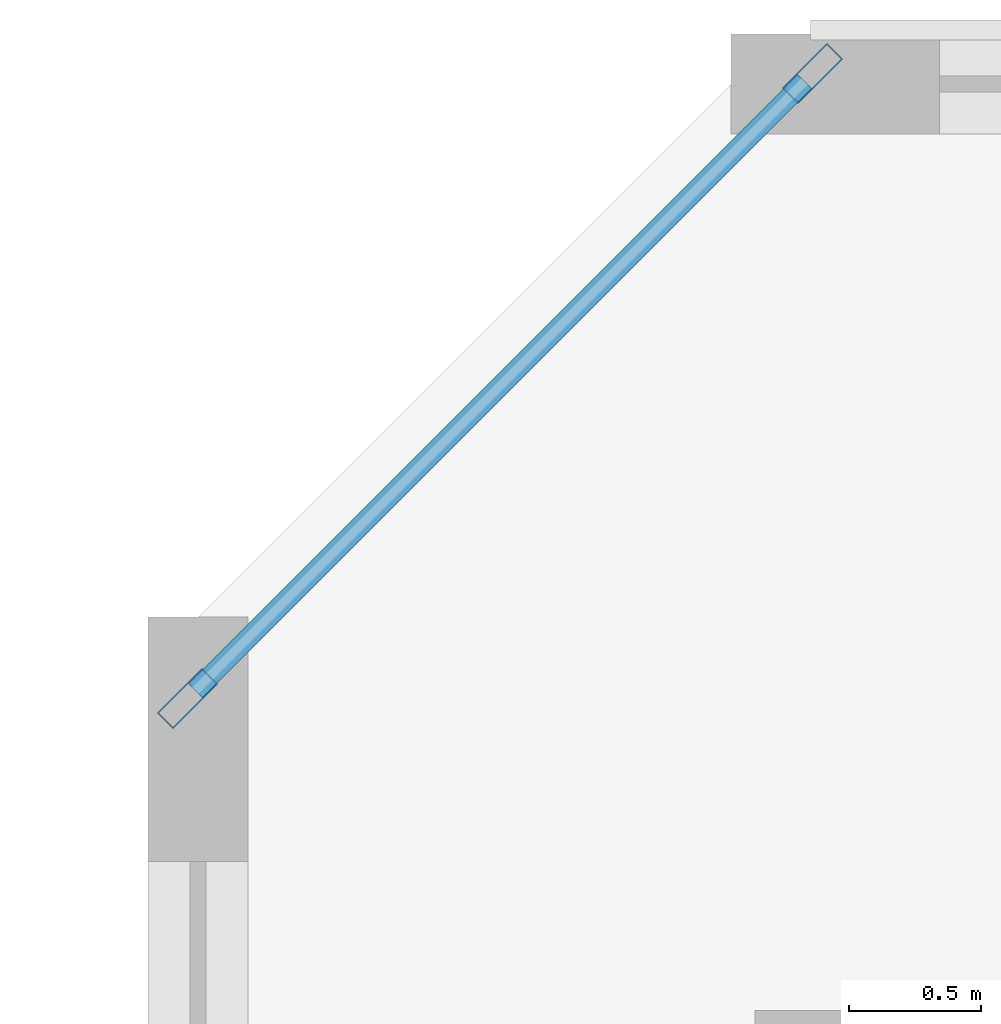
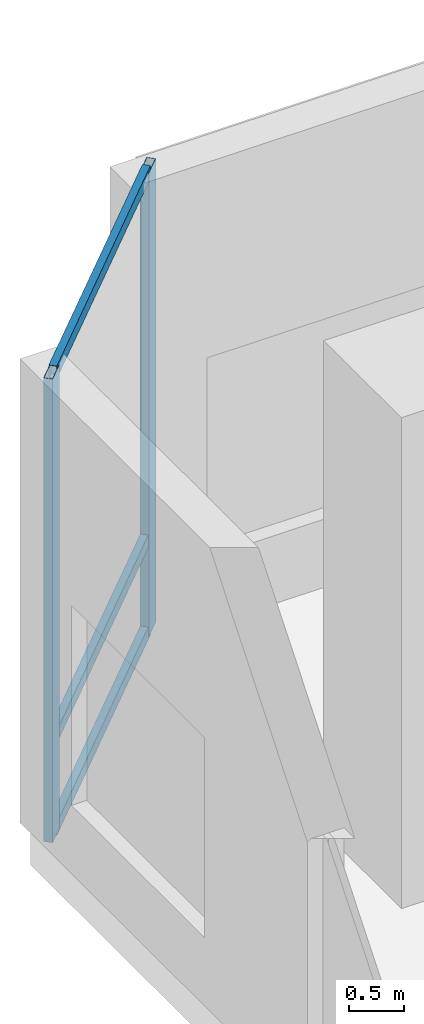
# One storey, part 4 of 21: 5 members, 1 element without a shape of its own.
"""IFC4 building model written with IfcOpenShell, lengths in metres."""

import ifcopenshell
import ifcopenshell.guid

model = None  # the IFC model being written
_history = None  # IfcOwnerHistory: only IFC2X3 demands one
_inside = {}  # id of a spatial element -> (the spatial element, [elements in it])
_under = {}  # id of a project, library or spatial element -> (it, [spatial elements below it])
_declared = {}  # id of a project -> (the project, [libraries it declares])
_typed = {}  # id of a type object -> (the type object, [elements of that type])
_made_of = {}  # id of a material, layer set ... -> (it, [elements and type objects made of it])


def new_model(schema):
    """Start an empty IFC model of exactly this schema.

    Asked for "IFC4X3", IfcOpenShell would pick the latest addendum, in which some entities
    have other attributes; the version numbers below select the first issue.
    IFC2X3 requires an IfcOwnerHistory on every rooted entity: one is made here for all.
    """
    global model, _history
    if schema == "IFC4X3":
        model = ifcopenshell.file(schema_version=(4, 3, 0, 0))
    else:
        model = ifcopenshell.file(schema=schema)
    _inside.clear()
    _under.clear()
    _declared.clear()
    _typed.clear()
    _made_of.clear()
    _history = None
    if model.schema == "IFC2X3":
        org = make("IfcOrganization", Name="unknown")
        user = make(
            "IfcPersonAndOrganization",
            ThePerson=make("IfcPerson", FamilyName="unknown"),
            TheOrganization=org,
        )
        app = make(
            "IfcApplication",
            ApplicationDeveloper=org,
            Version="unknown",
            ApplicationFullName="unknown",
            ApplicationIdentifier="unknown",
        )
        _history = make(
            "IfcOwnerHistory",
            OwningUser=user,
            OwningApplication=app,
            ChangeAction="ADDED",
            CreationDate=0,
        )
    return model


def make(cls, **values):
    """One entity of the class cls with the attributes given. An attribute that is None is left unset."""
    return model.create_entity(
        cls, **{name: value for name, value in values.items() if value is not None}
    )


def rooted(cls, **values):
    """An entity with a GlobalId (a new one), such as an element, a storey or a relation."""
    return make(cls, GlobalId=ifcopenshell.guid.new(), OwnerHistory=_history, **values)


def si_unit(unit_type, name, prefix=None):
    """IfcSIUnit, for example si_unit("LENGTHUNIT", "METRE", prefix="MILLI")."""
    return make("IfcSIUnit", UnitType=unit_type, Prefix=prefix, Name=name)


def assignment(units):
    """IfcUnitAssignment: the units of a project."""
    return None if units is None else make("IfcUnitAssignment", Units=units)


def point(xyz):
    """IfcCartesianPoint."""
    return None if xyz is None else make("IfcCartesianPoint", Coordinates=xyz)


def direction(xyz):
    """IfcDirection."""
    return None if xyz is None else make("IfcDirection", DirectionRatios=xyz)


def frame(location, z_axis=None, x_axis=None):
    """IfcAxis2Placement3D, a coordinate frame: its origin and axes. An axis left out is left unset."""
    return make(
        "IfcAxis2Placement3D",
        Location=point(location),
        Axis=direction(z_axis),
        RefDirection=direction(x_axis),
    )


def frame_2d(location, x_axis=None):
    """IfcAxis2Placement2D, a coordinate frame in the plane: its origin and x axis."""
    return make(
        "IfcAxis2Placement2D", Location=point(location), RefDirection=direction(x_axis)
    )


def origin():
    """The frame at (0, 0, 0) with its axes left unset."""
    return frame((0.0, 0.0, 0.0))


def origin_2d():
    """The frame at (0, 0) in the plane with its x axis left unset."""
    return frame_2d((0.0, 0.0))


def place(relative_to, where):
    """IfcLocalPlacement: puts the frame where relative to a parent placement (None: the world)."""
    return make(
        "IfcLocalPlacement", PlacementRelTo=relative_to, RelativePlacement=where
    )


def context(
    kind, dimensions, precision=None, world=None, true_north=None, identifier=None
):
    """IfcGeometricRepresentationContext, for example the 3D "Model" context."""
    return make(
        "IfcGeometricRepresentationContext",
        ContextIdentifier=identifier,
        ContextType=kind,
        CoordinateSpaceDimension=dimensions,
        Precision=precision,
        WorldCoordinateSystem=world,
        TrueNorth=true_north,
    )


def subcontext(parent, identifier, kind, view, scale=None):
    """IfcGeometricRepresentationSubContext, for example "Body" below "Model"."""
    return make(
        "IfcGeometricRepresentationSubContext",
        ContextIdentifier=identifier,
        ContextType=kind,
        ParentContext=parent,
        TargetScale=scale,
        TargetView=view,
    )


def project(units=None, contexts=None):
    """IfcProject with its units and contexts."""
    return rooted(
        "IfcProject",
        Name="project",
        RepresentationContexts=contexts,
        UnitsInContext=assignment(units),
    )


def spatial(cls, under=None, at=None, **own):
    """A site, building, storey or space (cls), placed at a placement, below another one or the project."""
    s = rooted(cls, ObjectPlacement=at, **own)
    if under is not None:
        _under.setdefault(under.id(), (under, []))[1].append(s)
    return s


def profile(cls, at=None, kind="AREA", **sizes):
    """A parametric profile (cls). Its sizes go by their IFC names, for example OverallWidth=200.0."""
    return make(cls, ProfileType=kind, Position=at, **sizes)


def hollow_rectangle(**sizes):
    """IfcRectangleHollowProfileDef."""
    return profile("IfcRectangleHollowProfileDef", **sizes)


def extrude(swept, where, along, depth):
    """IfcExtrudedAreaSolid: the profile swept, set in the frame where, extruded along a direction by depth."""
    return make(
        "IfcExtrudedAreaSolid",
        SweptArea=swept,
        Position=where,
        ExtrudedDirection=direction(along),
        Depth=depth,
    )


def shape(context_of_items, identifier, shape_type, items):
    """IfcShapeRepresentation: the items that make up one representation, for example the "Body"."""
    return make(
        "IfcShapeRepresentation",
        ContextOfItems=context_of_items,
        RepresentationIdentifier=identifier,
        RepresentationType=shape_type,
        Items=items,
    )


def material(Name=None, Category=None):
    """IfcMaterial."""
    return make("IfcMaterial", Name=Name, Category=Category)


def layer(
    of_material, thickness, ventilated=None, Name=None, Category=None, Priority=None
):
    """IfcMaterialLayer: one layer of a wall or slab, of a material (None: an air gap)."""
    return make(
        "IfcMaterialLayer",
        Material=of_material,
        LayerThickness=thickness,
        IsVentilated=ventilated,
        Name=Name,
        Category=Category,
        Priority=Priority,
    )


def layer_set(layers, Name=None):
    """IfcMaterialLayerSet."""
    return make("IfcMaterialLayerSet", MaterialLayers=layers, LayerSetName=Name)


def material_profile(
    of_material, cross_section, Name=None, Category=None, Priority=None
):
    """IfcMaterialProfile: a cross section and its material."""
    return make(
        "IfcMaterialProfile",
        Name=Name,
        Material=of_material,
        Profile=cross_section,
        Priority=Priority,
        Category=Category,
    )


def profile_set(profiles, Name=None, composite=None):
    """IfcMaterialProfileSet."""
    return make(
        "IfcMaterialProfileSet",
        Name=Name,
        MaterialProfiles=profiles,
        CompositeProfile=composite,
    )


def made_of(thing, what):
    """Note that an element or type object is made of a material, layer set ...; save() writes the relation."""
    if what is not None:
        _made_of.setdefault(what.id(), (what, []))[1].append(thing)
    return thing


def type_object(cls, material=None, **own):
    """A type object (cls), such as IfcWallType, which elements share."""
    return made_of(rooted(cls, **own), material)


def element(
    cls,
    number,
    at=None,
    inside=None,
    cuts=None,
    type_object=None,
    material=None,
    context=None,
    identifier="Body",
    shape_type=None,
    held_by="IfcProductDefinitionShape",
    body=None,
    shapes=None,
    **own,
):
    """One element of the class cls, such as IfcWall. Its Tag is "e" and its number.

    at: its placement. inside: the storey or other place that contains it. cuts: it is an
    opening in that element (IfcRelVoidsElement). A single representation is given by context,
    identifier, shape_type and body (its items); several are given by shapes. held_by: the class
    of the entity that holds the representations. save() writes the other relations.
    """
    e = rooted(cls, Tag="e%d" % number, ObjectPlacement=at, **own)
    if body is not None:
        shapes = [shape(context, identifier, shape_type, body)]
    if shapes is not None:
        e.Representation = make(held_by, Representations=shapes)
    if inside is not None:
        _inside.setdefault(inside.id(), (inside, []))[1].append(e)
    if cuts is not None:
        rooted(
            "IfcRelVoidsElement", RelatingBuildingElement=cuts, RelatedOpeningElement=e
        )
    if type_object is not None:
        _typed.setdefault(type_object.id(), (type_object, []))[1].append(e)
    return made_of(e, material)


def aggregate(whole, parts):
    """IfcRelAggregates: a whole, such as a stair, and the parts it consists of."""
    return rooted("IfcRelAggregates", RelatingObject=whole, RelatedObjects=parts)


def save(model, path):
    """Write the relations noted so far, then the file.

    IfcRelAggregates (storeys below a building ...), IfcRelContainedInSpatialStructure (elements
    in a storey), IfcRelDefinesByType, IfcRelAssociatesMaterial and IfcRelDeclares: one each for
    every whole, place, type object, material and project.
    """
    for whole, parts in _under.values():
        aggregate(whole, parts)
    for where, things in _inside.values():
        rooted(
            "IfcRelContainedInSpatialStructure",
            RelatedElements=things,
            RelatingStructure=where,
        )
    for kind, things in _typed.values():
        rooted("IfcRelDefinesByType", RelatedObjects=things, RelatingType=kind)
    for what, things in _made_of.values():
        rooted("IfcRelAssociatesMaterial", RelatedObjects=things, RelatingMaterial=what)
    for by, libraries in _declared.values():
        rooted("IfcRelDeclares", RelatingContext=by, RelatedDefinitions=libraries)
    model.write(path)


model = new_model("IFC4")

# Units and contexts
model_context = context("Model", 3, precision=1e-05, world=origin(), true_north=direction((0.0, 1.0)))
body_context = subcontext(model_context, "Body", "Model", "MODEL_VIEW")
ifc_project = project(units=[si_unit("LENGTHUNIT", "METRE"), si_unit("AREAUNIT", "SQUARE_METRE"), si_unit("VOLUMEUNIT", "CUBIC_METRE"), si_unit("PLANEANGLEUNIT", "RADIAN"), si_unit("MASSUNIT", "GRAM", prefix="KILO")], contexts=[model_context])

# Site, building, storey
site_placement = place(None, origin())
site = spatial("IfcSite", under=ifc_project, at=site_placement, CompositionType="ELEMENT")
building_placement = place(site_placement, origin())
building = spatial("IfcBuilding", under=site, at=building_placement, Name="Kestravale Grand Hotel", CompositionType="ELEMENT")
storey_placement = place(building_placement, frame((0.0, 0.0, 10.39990234375)))
storey = spatial("IfcBuildingStorey", under=building, at=storey_placement, Name="L02", CompositionType="ELEMENT", Elevation=10.39990234375)

# Curtain wall, members
ifc_material_1 = material(Name="Thermally broken champagne-bronze aluminium and low-E glazing", Category="aluminium")
ifc_layer = layer(ifc_material_1, 0.239990234375)
ifc_layer_set = layer_set([ifc_layer], Name="CW-POD")
curtain_wall_type = type_object("IfcCurtainWallType", Name="CW-POD", PredefinedType="NOTDEFINED", material=ifc_layer_set)
curtain_wall_placement = place(storey_placement, origin())
curtain_wall = element("IfcCurtainWall", 1, at=curtain_wall_placement, inside=storey, type_object=curtain_wall_type, Name="L02 unitised curtain wall 6", PredefinedType="NOTDEFINED")
ifc_material_2 = material(Name="Aluminium 6063-T6 anodised", Category="aluminium")
ifc_material_profile_1 = material_profile(ifc_material_2, hollow_rectangle(XDim=0.0849609375, YDim=0.239990234375, WallThickness=0.00439453125, at=origin_2d()))
ifc_profile_set_1 = profile_set([ifc_material_profile_1], Name="Aluminium 6063-T6 anodised")
member_type_1 = type_object("IfcMemberType", Name="CW-MUL-240", PredefinedType="MULLION", material=ifc_profile_set_1)
member_1_placement = place(storey_placement, frame((-0.4814453125, 51.44970703125, 0.0), z_axis=(0.0, 0.0, 1.0), x_axis=(0.707106781187, -0.707106781187, 0.0)))
member_1 = element("IfcMember", 2, at=member_1_placement, type_object=member_type_1, Name="CW-POD mullion 1", PredefinedType="MULLION", context=body_context, shape_type="SweptSolid", body=[
    extrude(hollow_rectangle(XDim=0.0849609375, YDim=0.239990234375, WallThickness=0.00439453125, at=origin_2d()), origin(), (0.0, 0.0, 1.0), 5.10009765625),
])
member_2_placement = place(storey_placement, frame((-2.849853515625, 49.08154296875, 0.0), z_axis=(0.0, 0.0, 1.0), x_axis=(0.707106781187, -0.707106781187, 0.0)))
member_2 = element("IfcMember", 3, at=member_2_placement, type_object=member_type_1, Name="CW-POD mullion 2", PredefinedType="MULLION", context=body_context, shape_type="SweptSolid", body=[
    extrude(hollow_rectangle(XDim=0.0849609375, YDim=0.239990234375, WallThickness=0.00439453125, at=origin_2d()), origin(), (0.0, 0.0, 1.0), 5.10009765625),
])
ifc_material_3 = material(Name="Aluminium 6063-T6 anodised", Category="aluminium")
ifc_material_profile_2 = material_profile(ifc_material_3, hollow_rectangle(XDim=0.074951171875, YDim=0.139892578125, WallThickness=0.00341796875, at=origin_2d()))
ifc_profile_set_2 = profile_set([ifc_material_profile_2], Name="Aluminium 6063-T6 anodised")
member_type_2 = type_object("IfcMemberType", Name="CW-TRN-140", PredefinedType="USERDEFINED", material=ifc_profile_set_2)
member_3_placement = place(storey_placement, frame((-0.51171875, 51.419677734375, 0.03759765625), z_axis=(-0.707069380992, -0.707144179403, 0.0), x_axis=(0.707144179403, -0.707069380992, 0.0)))
member_3 = element("IfcMember", 4, at=member_3_placement, type_object=member_type_2, Name="CW-POD transom 1.1", ObjectType="TRANSOM", PredefinedType="USERDEFINED", context=body_context, shape_type="SweptSolid", body=[
    extrude(hollow_rectangle(XDim=0.074951171875, YDim=0.139892578125, WallThickness=0.00341796875, at=origin_2d()), origin(), (0.0, 0.0, 1.0), 3.263916015625),
])
member_4_placement = place(storey_placement, frame((-0.51171875, 51.419677734375, 1.050048828125), z_axis=(-0.707069380992, -0.707144179403, 0.0), x_axis=(0.707144179403, -0.707069380992, 0.0)))
member_4 = element("IfcMember", 5, at=member_4_placement, type_object=member_type_2, Name="CW-POD transom 1.2", ObjectType="TRANSOM", PredefinedType="USERDEFINED", context=body_context, shape_type="SweptSolid", body=[
    extrude(hollow_rectangle(XDim=0.074951171875, YDim=0.139892578125, WallThickness=0.00341796875, at=origin_2d()), origin(), (0.0, 0.0, 1.0), 3.263916015625),
])
member_5_placement = place(storey_placement, frame((-0.51171875, 51.419677734375, 5.0625), z_axis=(-0.707069380992, -0.707144179403, 0.0), x_axis=(0.707144179403, -0.707069380992, 0.0)))
member_5 = element("IfcMember", 6, at=member_5_placement, type_object=member_type_2, Name="CW-POD transom 1.3", ObjectType="TRANSOM", PredefinedType="USERDEFINED", context=body_context, shape_type="SweptSolid", body=[
    extrude(hollow_rectangle(XDim=0.074951171875, YDim=0.139892578125, WallThickness=0.00341796875, at=origin_2d()), origin(), (0.0, 0.0, 1.0), 3.263916015625),
])
aggregate(curtain_wall, [member_1, member_2, member_3, member_4, member_5])

save(model, "model.ifc")
